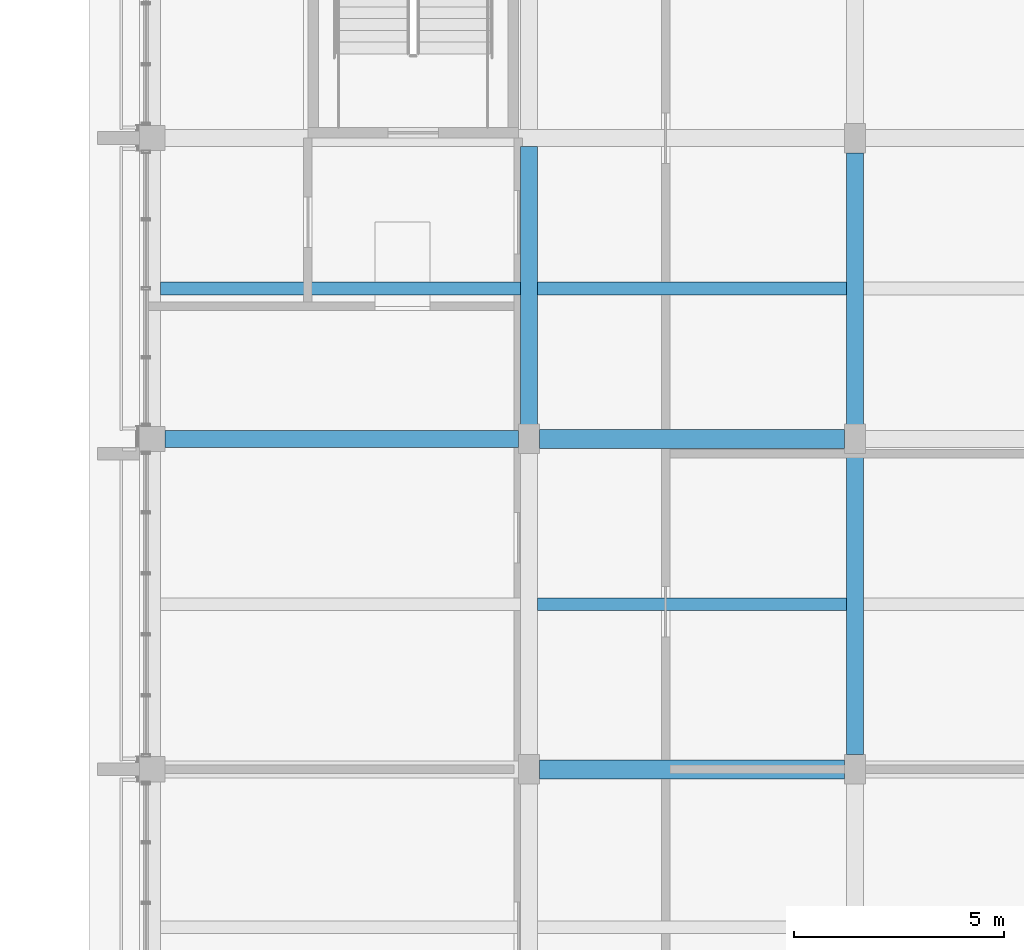
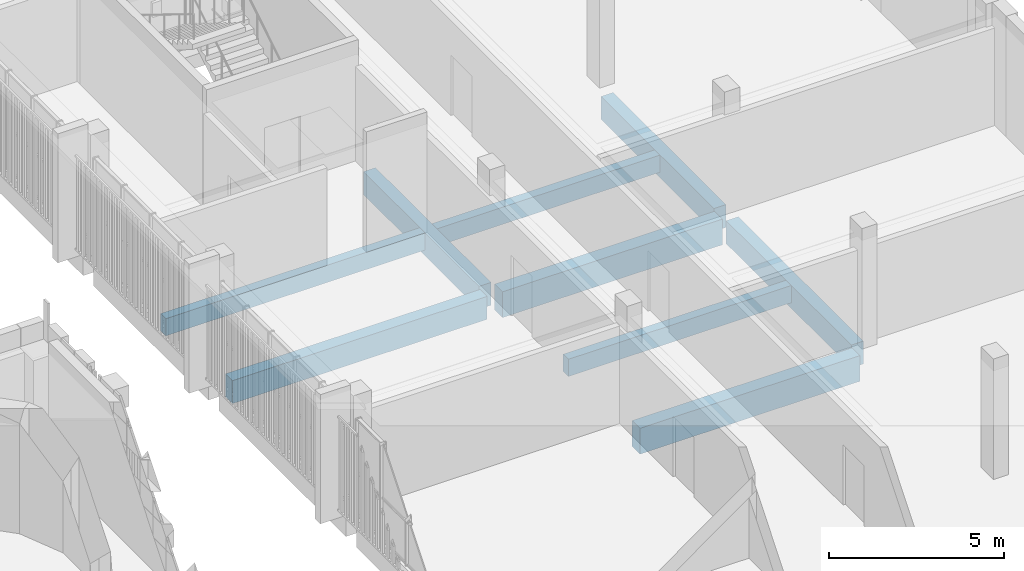
# One storey, part 22 of 92: 9 beams.
"""IFC4 building model written with IfcOpenShell, lengths in metres."""

from ifc_helpers import new_model, si_unit, direction, frame, origin, origin_2d, place, context, subcontext, project, spatial, rectangle, extrude, material, material_profile, profile_set, type_object, element, save


model = new_model("IFC4")

# Units and contexts
model_context = context("Model", 3, precision=1e-05, world=origin(), true_north=direction((0.0, 1.0)))
body_context = subcontext(model_context, "Body", "Model", "MODEL_VIEW")
ifc_project = project(units=[si_unit("LENGTHUNIT", "METRE"), si_unit("AREAUNIT", "SQUARE_METRE"), si_unit("VOLUMEUNIT", "CUBIC_METRE"), si_unit("PLANEANGLEUNIT", "RADIAN"), si_unit("MASSUNIT", "GRAM", prefix="KILO")], contexts=[model_context])

# Site, building, storey
site_placement = place(None, origin())
site = spatial("IfcSite", under=ifc_project, at=site_placement, CompositionType="ELEMENT")
building_placement = place(site_placement, origin())
building = spatial("IfcBuilding", under=site, at=building_placement, Name="Sun Court Science Centre", CompositionType="ELEMENT")
storey_placement = place(building_placement, frame((0.0, 0.0, 11.25)))
storey = spatial("IfcBuildingStorey", under=building, at=storey_placement, Name="L02", CompositionType="ELEMENT", Elevation=11.25)

# Beams
ifc_material_1 = material(Name="Concrete C25/30", Category="concrete")
ifc_material_profile_1 = material_profile(ifc_material_1, rectangle(XDim=0.39990234375, YDim=0.800048828125, at=origin_2d()), Name="RC 400x800")
ifc_profile_set_1 = profile_set([ifc_material_profile_1], Name="Concrete C25/30")
beam_type_1 = type_object("IfcBeamType", Name="RC girder 400x800", PredefinedType="BEAM", material=ifc_profile_set_1)
beam_1_placement = place(storey_placement, frame((78.60009765625, 28.85009765625, -0.699951171875), z_axis=(1.0, 0.0, 0.0), x_axis=(0.0, 1.0, 0.0)))
element("IfcBeam", 1, at=beam_1_placement, inside=storey, type_object=beam_type_1, Name="Girder L02 row 4", PredefinedType="BEAM", context=body_context, shape_type="SweptSolid", body=[
    extrude(rectangle(XDim=0.39990234375, YDim=0.800048828125, at=origin_2d()), origin(), (0.0, 0.0, 1.0), 8.39990234375),
])
beam_2_placement = place(storey_placement, frame((87.25, 29.199951171875, -0.699951171875), z_axis=(0.0, 1.0, 0.0), x_axis=(-1.0, 0.0, 0.0)))
element("IfcBeam", 2, at=beam_2_placement, inside=storey, type_object=beam_type_1, Name="Girder L02 line 2", PredefinedType="BEAM", context=body_context, shape_type="SweptSolid", body=[
    extrude(rectangle(XDim=0.39990234375, YDim=0.800048828125, at=origin_2d()), origin(), (0.0, 0.0, 1.0), 6.60009765625),
])
beam_3_placement = place(storey_placement, frame((95.0, 21.35009765625, -0.699951171875), z_axis=(0.0, 1.0, 0.0), x_axis=(-1.0, 0.0, 0.0)))
element("IfcBeam", 3, at=beam_3_placement, inside=storey, type_object=beam_type_1, Name="Girder L02 line 3", PredefinedType="BEAM", context=body_context, shape_type="SweptSolid", body=[
    extrude(rectangle(XDim=0.39990234375, YDim=0.800048828125, at=origin_2d()), origin(), (0.0, 0.0, 1.0), 7.14990234375),
])
beam_4_placement = place(storey_placement, frame((95.0, 29.199951171875, -0.699951171875), z_axis=(0.0, 1.0, 0.0), x_axis=(-1.0, 0.0, 0.0)))
element("IfcBeam", 4, at=beam_4_placement, inside=storey, type_object=beam_type_1, Name="Girder L02 line 3", PredefinedType="BEAM", context=body_context, shape_type="SweptSolid", body=[
    extrude(rectangle(XDim=0.39990234375, YDim=0.800048828125, at=origin_2d()), origin(), (0.0, 0.0, 1.0), 6.449951171875),
])
ifc_material_2 = material(Name="Concrete C25/30", Category="concrete")
ifc_material_profile_2 = material_profile(ifc_material_2, rectangle(XDim=0.449951171875, YDim=0.89990234375, at=origin_2d()), Name="RC 450x900")
ifc_profile_set_2 = profile_set([ifc_material_profile_2], Name="Concrete C25/30")
beam_type_2 = type_object("IfcBeamType", Name="RC girder 450x900", PredefinedType="BEAM", material=ifc_profile_set_2)
for number, where, z_axis, x_axis, name in (
    (5, (87.5, 21.0, -0.75), (1.0, 0.0, 0.0), (0.0, 1.0, 0.0), "Girder L02 row 3"),
    (6, (87.5, 28.85009765625, -0.75), (1.0, 0.0, 0.0), (0.0, 1.0, 0.0), "Girder L02 row 4"),
):
    element("IfcBeam", number, at=place(storey_placement, frame(where, z_axis=z_axis, x_axis=x_axis)), inside=storey, type_object=beam_type_2, Name=name, PredefinedType="BEAM", context=body_context, shape_type="SweptSolid", body=[
        extrude(rectangle(XDim=0.449951171875, YDim=0.89990234375, at=origin_2d()), origin(), (0.0, 0.0, 1.0), 7.25),
    ])
ifc_material_3 = material(Name="Concrete C25/30", Category="concrete")
ifc_material_profile_3 = material_profile(ifc_material_3, rectangle(XDim=0.300048828125, YDim=0.60009765625, at=origin_2d()), Name="RC 300x600")
ifc_profile_set_3 = profile_set([ifc_material_profile_3], Name="Concrete C25/30")
beam_type_3 = type_object("IfcBeamType", Name="RC joist 300x600", PredefinedType="JOIST", material=ifc_profile_set_3)
beam_5_placement = place(storey_placement, frame((87.449951171875, 24.925048828125, -0.60009765625), z_axis=(1.0, 0.0, 0.0), x_axis=(0.0, 1.0, 0.0)))
element("IfcBeam", 7, at=beam_5_placement, inside=storey, type_object=beam_type_3, Name="Joist L02", PredefinedType="JOIST", context=body_context, shape_type="SweptSolid", body=[
    extrude(rectangle(XDim=0.300048828125, YDim=0.60009765625, at=origin_2d()), origin(), (0.0, 0.0, 1.0), 7.35009765625),
])
beam_6_placement = place(storey_placement, frame((78.5, 32.425048828125, -0.60009765625), z_axis=(1.0, 0.0, 0.0), x_axis=(0.0, 1.0, 0.0)))
element("IfcBeam", 8, at=beam_6_placement, inside=storey, type_object=beam_type_3, Name="Joist L02", PredefinedType="JOIST", context=body_context, shape_type="SweptSolid", body=[
    extrude(rectangle(XDim=0.300048828125, YDim=0.60009765625, at=origin_2d()), origin(), (0.0, 0.0, 1.0), 8.550048828125),
])
beam_7_placement = place(storey_placement, frame((87.449951171875, 32.425048828125, -0.60009765625), z_axis=(1.0, 0.0, 0.0), x_axis=(0.0, 1.0, 0.0)))
element("IfcBeam", 9, at=beam_7_placement, inside=storey, type_object=beam_type_3, Name="Joist L02", PredefinedType="JOIST", context=body_context, shape_type="SweptSolid", body=[
    extrude(rectangle(XDim=0.300048828125, YDim=0.60009765625, at=origin_2d()), origin(), (0.0, 0.0, 1.0), 7.35009765625),
])

save(model, "model.ifc")
